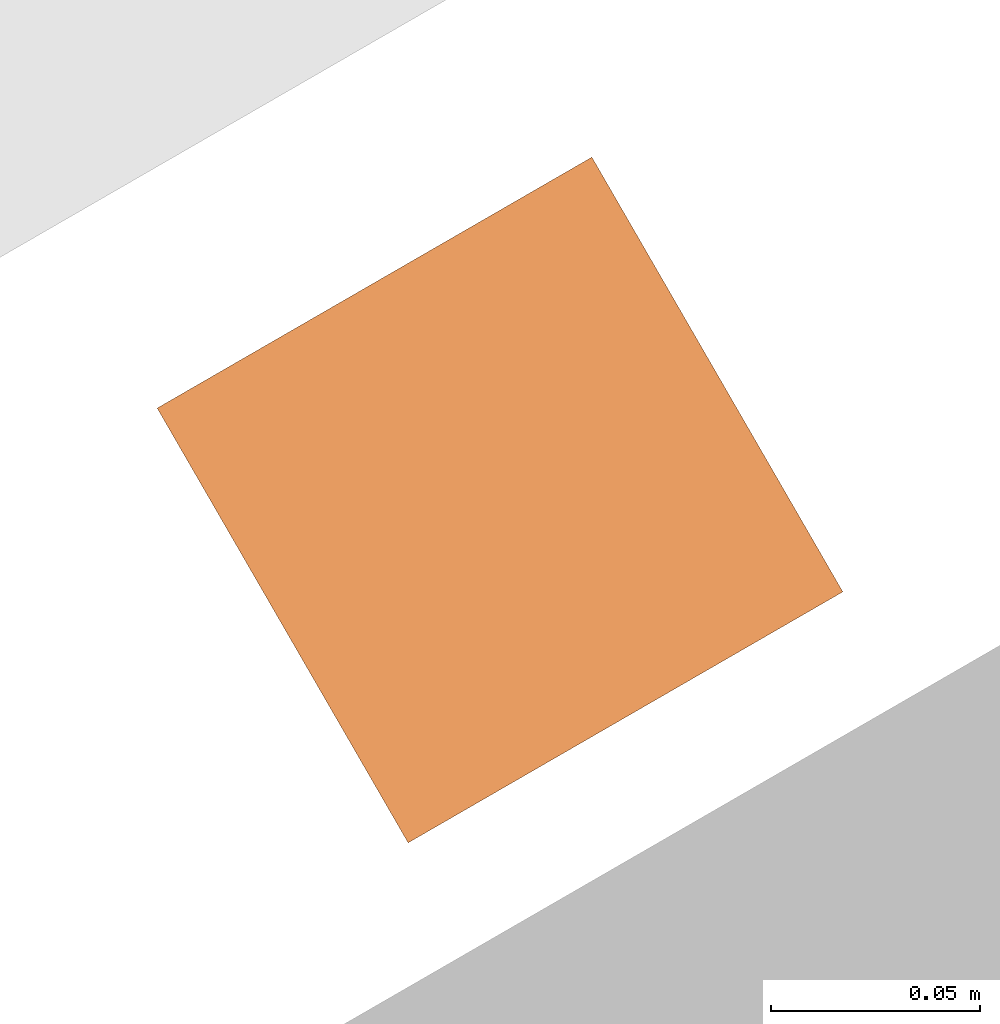
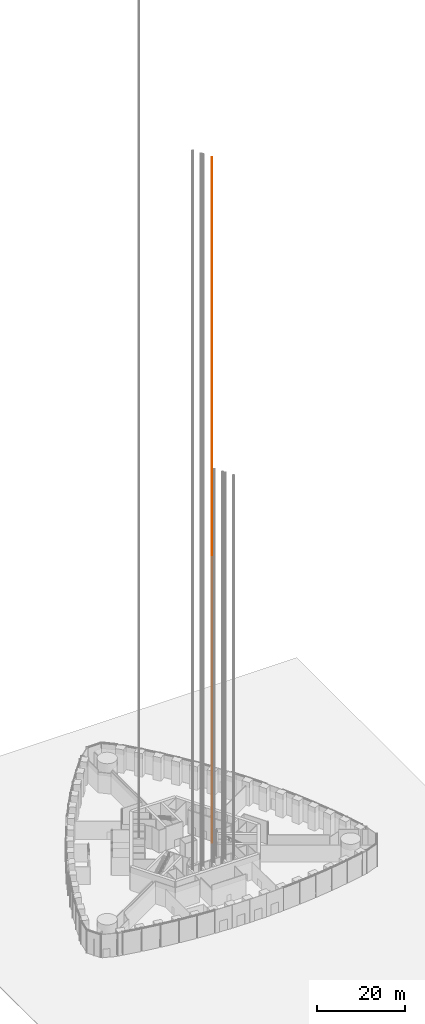
# One storey, part 39 of 43: 1 proxy.
"""IFC4 building model written with IfcOpenShell, lengths in metres."""

from ifc_helpers import new_model, si_unit, direction, frame, origin, origin_2d, place, context, subcontext, project, spatial, rectangle, extrude, element, save


model = new_model("IFC4")

# Units and contexts
model_context = context("Model", 3, precision=1e-05, world=origin(), true_north=direction((0.0, 1.0)))
body_context = subcontext(model_context, "Body", "Model", "MODEL_VIEW")
ifc_project = project(units=[si_unit("LENGTHUNIT", "METRE"), si_unit("AREAUNIT", "SQUARE_METRE"), si_unit("VOLUMEUNIT", "CUBIC_METRE"), si_unit("PLANEANGLEUNIT", "RADIAN"), si_unit("MASSUNIT", "GRAM", prefix="KILO")], contexts=[model_context])

# Site, building, storey
site_placement = place(None, origin())
site = spatial("IfcSite", under=ifc_project, at=site_placement, CompositionType="ELEMENT")
building_placement = place(site_placement, origin())
building = spatial("IfcBuilding", under=site, at=building_placement, Name="Trefoil Bronze Tower", CompositionType="ELEMENT")
storey_placement = place(building_placement, origin())
storey = spatial("IfcBuildingStorey", under=building, at=storey_placement, Name="L00", CompositionType="ELEMENT", Elevation=0.0)

# Proxy
proxy_placement = place(storey_placement, frame((9.639404296875, 5.928955078125, -1.60009765625), z_axis=(0.0, 0.0, 1.0), x_axis=(-0.5, 0.866025403784, 0.0)))
element("IfcBuildingElementProxy", 1, at=proxy_placement, inside=storey, Name="Lift S3 guide rail 1", ObjectType="LIFT GUIDE RAIL", PredefinedType="USERDEFINED", context=body_context, shape_type="SweptSolid", body=[
    extrude(rectangle(XDim=0.1201171875, YDim=0.1201171875, at=origin_2d()), origin(), (0.0, 0.0, 1.0), 190.75),
])

save(model, "model.ifc")
